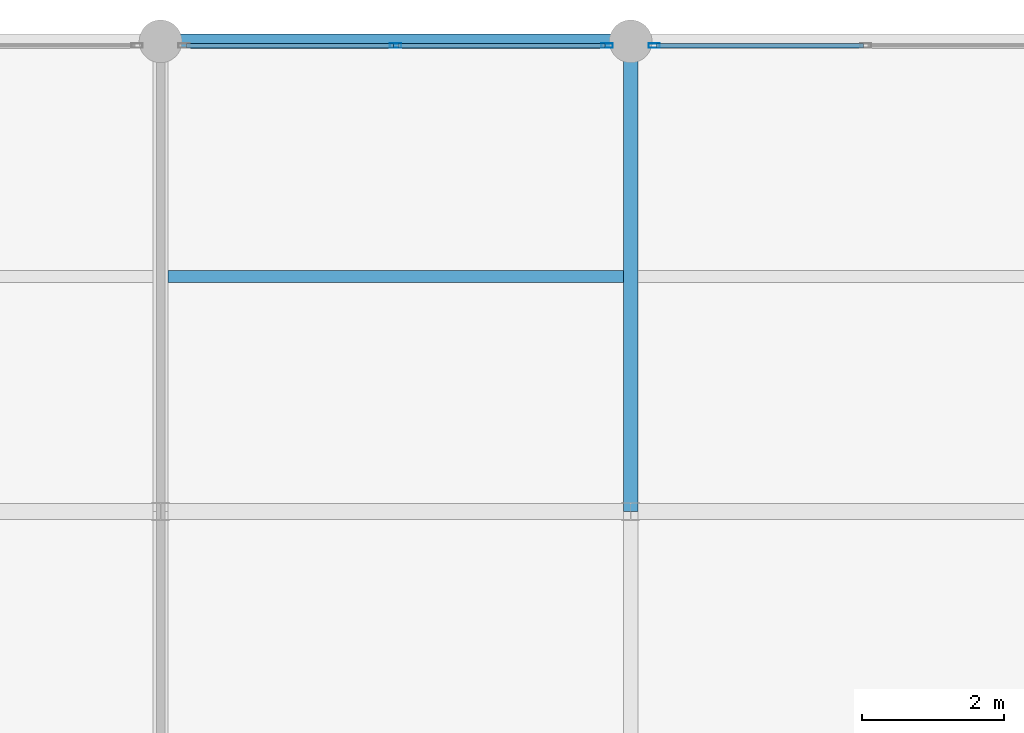
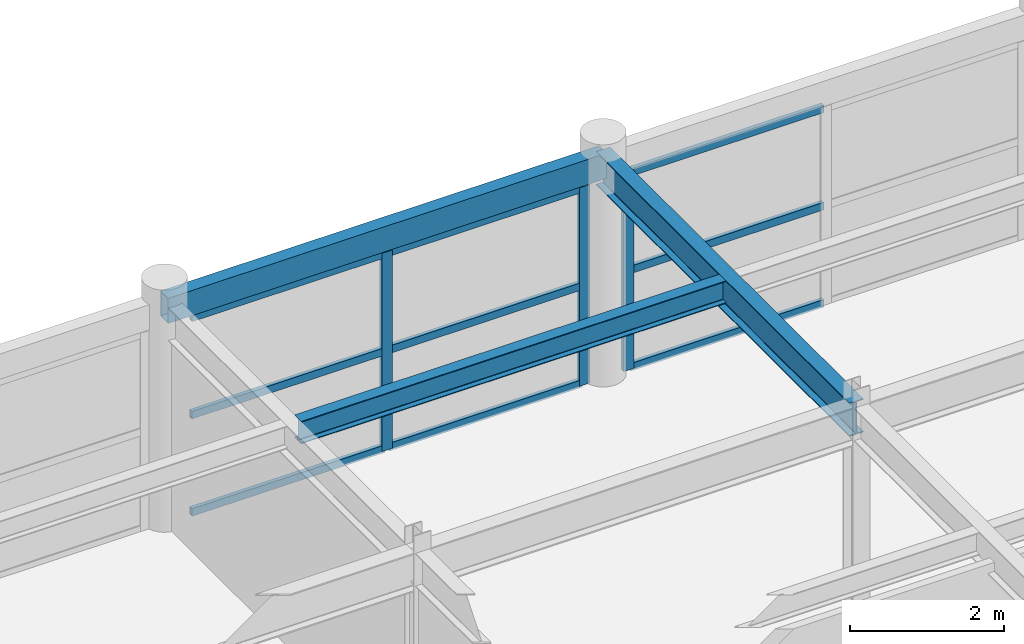
# One storey, part 5 of 17: 12 members, 3 beams, 2 elements without a shape of their own.
"""IFC4 building model written with IfcOpenShell, lengths in metres."""

from ifc_helpers import new_model, si_unit, direction, frame, origin, origin_2d, place, context, subcontext, project, spatial, hollow_rectangle, i_section, extrude, material, material_profile, profile_set, type_object, element, aggregate, save


model = new_model("IFC4")

# Units and contexts
model_context = context("Model", 3, precision=1e-05, world=origin(), true_north=direction((0.0, 1.0)))
body_context = subcontext(model_context, "Body", "Model", "MODEL_VIEW")
ifc_project = project(units=[si_unit("LENGTHUNIT", "METRE"), si_unit("AREAUNIT", "SQUARE_METRE"), si_unit("VOLUMEUNIT", "CUBIC_METRE"), si_unit("PLANEANGLEUNIT", "RADIAN"), si_unit("MASSUNIT", "GRAM", prefix="KILO")], contexts=[model_context])

# Site, building, storey
site_placement = place(None, origin())
site = spatial("IfcSite", under=ifc_project, at=site_placement, CompositionType="ELEMENT")
building_placement = place(site_placement, origin())
building = spatial("IfcBuilding", under=site, at=building_placement, Name="Karori Crest Natural Sciences Institute", CompositionType="ELEMENT")
storey_placement = place(building_placement, frame((0.0, 0.0, 38.14990234375)))
storey = spatial("IfcBuildingStorey", under=building, at=storey_placement, Name="L09", CompositionType="ELEMENT", Elevation=38.14990234375)

# Beams
ifc_material_1 = material(Name="Structural steel AS/NZS 3679.1 Grade 350", Category="steel")
ifc_material_profile_1 = material_profile(ifc_material_1, i_section(OverallWidth=0.208984375, OverallDepth=0.532958984375, WebThickness=0.01025390625, FlangeThickness=0.015625, FilletRadius=0.013916015625, at=origin_2d()), Name="530UB92.4")
ifc_profile_set_1 = profile_set([ifc_material_profile_1], Name="Structural steel AS/NZS 3679.1 Grade 350")
beam_type_1 = type_object("IfcBeamType", Name="BT-05", PredefinedType="BEAM", material=ifc_profile_set_1)
beam_1_placement = place(storey_placement, frame((116.800048828125, 14.0, 3.3037109375), z_axis=(0.0, 1.0, 0.0), x_axis=(-1.0, 0.0, 0.0)))
element("IfcBeam", 1, at=beam_1_placement, inside=storey, type_object=beam_type_1, Name="Beam B-2796", PredefinedType="BEAM", context=body_context, shape_type="SweptSolid", body=[
    extrude(i_section(OverallWidth=0.208984375, OverallDepth=0.532958984375, WebThickness=0.01025390625, FlangeThickness=0.015625, FilletRadius=0.013916015625, at=origin_2d()), origin(), (0.0, 0.0, 1.0), 6.60009765625),
])
ifc_material_profile_2 = material_profile(ifc_material_1, i_section(OverallWidth=0.172119140625, OverallDepth=0.35888671875, WebThickness=0.008056640625, FlangeThickness=0.012939453125, FilletRadius=0.010986328125, at=origin_2d()), Name="360UB56.7")
ifc_profile_set_2 = profile_set([ifc_material_profile_2], Name="Structural steel AS/NZS 3679.1 Grade 350")
beam_type_2 = type_object("IfcBeamType", Name="BT-08", PredefinedType="BEAM", material=ifc_profile_set_2)
beam_2_placement = place(storey_placement, frame((110.304443359375, 17.300048828125, 3.390625), z_axis=(1.0, 0.0, 0.0), x_axis=(0.0, 1.0, 0.0)))
element("IfcBeam", 2, at=beam_2_placement, inside=storey, type_object=beam_type_2, Name="Beam B-2815", PredefinedType="BEAM", context=body_context, shape_type="SweptSolid", body=[
    extrude(i_section(OverallWidth=0.172119140625, OverallDepth=0.35888671875, WebThickness=0.008056640625, FlangeThickness=0.012939453125, FilletRadius=0.010986328125, at=origin_2d()), origin(), (0.0, 0.0, 1.0), 6.39111328125),
])
ifc_material_2 = material(Name="Hollow structural steel AS/NZS 1163 Grade C350", Category="steel")
ifc_material_profile_3 = material_profile(ifc_material_2, hollow_rectangle(XDim=0.199951171875, YDim=0.39990234375, WallThickness=0.012451171875, at=origin_2d()), Name="RHS400x200x12.5")
ifc_profile_set_3 = profile_set([ifc_material_profile_3], Name="Hollow structural steel AS/NZS 1163 Grade C350")
beam_type_3 = type_object("IfcBeamType", Name="BT-14", PredefinedType="SPANDREL", material=ifc_profile_set_3)
beam_3_placement = place(storey_placement, frame((110.199951171875, 20.60009765625, 3.3701171875), z_axis=(1.0, 0.0, 0.0), x_axis=(0.0, 1.0, 0.0)))
element("IfcBeam", 3, at=beam_3_placement, inside=storey, type_object=beam_type_3, Name="Beam B-2782", PredefinedType="SPANDREL", context=body_context, shape_type="SweptSolid", body=[
    extrude(hollow_rectangle(XDim=0.199951171875, YDim=0.39990234375, WallThickness=0.012451171875, at=origin_2d()), origin(), (0.0, 0.0, 1.0), 6.60009765625),
])

# Curtain wall, members
ifc_material_3 = material(Name="Anodised architectural aluminium 6063-T6", Category="aluminium")
curtain_wall_type = type_object("IfcCurtainWallType", Name="CWT-20", PredefinedType="NOTDEFINED", material=ifc_material_3)
curtain_wall_1_placement = place(storey_placement, origin())
curtain_wall_1 = element("IfcCurtainWall", 4, at=curtain_wall_1_placement, inside=storey, type_object=curtain_wall_type, Name="Curtain wall CW-0373", PredefinedType="NOTDEFINED")
ifc_material_profile_4 = material_profile(ifc_material_3, hollow_rectangle(XDim=0.06494140625, YDim=0.159912109375, WallThickness=0.00390625, at=origin_2d()), Name="CWM160x65x4")
ifc_profile_set_4 = profile_set([ifc_material_profile_4], Name="Anodised architectural aluminium 6063-T6")
member_type_1 = type_object("IfcMemberType", Name="CWM-01", PredefinedType="MULLION", material=ifc_profile_set_4)
member_1_placement = place(storey_placement, frame((113.5, 20.5400390625, 0.0), z_axis=(0.0, 0.0, 1.0), x_axis=(0.0, 1.0, 0.0)))
member_1 = element("IfcMember", 5, at=member_1_placement, type_object=member_type_1, Name="CW-0373 mullion 2", PredefinedType="MULLION", context=body_context, shape_type="SweptSolid", body=[
    extrude(hollow_rectangle(XDim=0.06494140625, YDim=0.159912109375, WallThickness=0.00390625, at=origin_2d()), origin(), (0.0, 0.0, 1.0), 3.155029296875),
])
member_2_placement = place(storey_placement, frame((116.469482421875, 20.5400390625, 0.0), z_axis=(0.0, 0.0, 1.0), x_axis=(0.0, 1.0, 0.0)))
member_2 = element("IfcMember", 6, at=member_2_placement, type_object=member_type_1, Name="CW-0373 mullion 3", PredefinedType="MULLION", context=body_context, shape_type="SweptSolid", body=[
    extrude(hollow_rectangle(XDim=0.06494140625, YDim=0.159912109375, WallThickness=0.00390625, at=origin_2d()), origin(), (0.0, 0.0, 1.0), 3.155029296875),
])

# Curtain wall, member
curtain_wall_2_placement = place(storey_placement, origin())
curtain_wall_2 = element("IfcCurtainWall", 7, at=curtain_wall_2_placement, inside=storey, type_object=curtain_wall_type, Name="Curtain wall CW-0374", PredefinedType="NOTDEFINED")
member_3_placement = place(storey_placement, frame((117.130615234375, 20.5400390625, 0.0), z_axis=(0.0, 0.0, 1.0), x_axis=(0.0, 1.0, 0.0)))
member_3 = element("IfcMember", 8, at=member_3_placement, type_object=member_type_1, Name="CW-0374 mullion 1", PredefinedType="MULLION", context=body_context, shape_type="SweptSolid", body=[
    extrude(hollow_rectangle(XDim=0.06494140625, YDim=0.159912109375, WallThickness=0.00390625, at=origin_2d()), origin(), (0.0, 0.0, 1.0), 3.155029296875),
])

# Member
ifc_material_profile_5 = material_profile(ifc_material_3, hollow_rectangle(XDim=0.06005859375, YDim=0.1201171875, WallThickness=0.00390625, at=origin_2d()), Name="CWT120x60x4")
ifc_profile_set_5 = profile_set([ifc_material_profile_5], Name="Anodised architectural aluminium 6063-T6")
member_type_2 = type_object("IfcMemberType", Name="CWT-TR1", PredefinedType="USERDEFINED", material=ifc_profile_set_5)
member_4_placement = place(storey_placement, frame((110.56298828125, 20.5400390625, 0.030029296875), z_axis=(1.0, 0.0, 0.0), x_axis=(0.0, 1.0, 0.0)))
member_4 = element("IfcMember", 9, at=member_4_placement, type_object=member_type_2, Name="CW-0373 transom 1.1", ObjectType="TRANSOM", PredefinedType="USERDEFINED", context=body_context, shape_type="SweptSolid", body=[
    extrude(hollow_rectangle(XDim=0.06005859375, YDim=0.1201171875, WallThickness=0.00390625, at=origin_2d()), origin(), (0.0, 0.0, 1.0), 2.904541015625),
])

member_5_placement = place(storey_placement, frame((110.56298828125, 20.5400390625, 1.57763671875), z_axis=(1.0, 0.0, 0.0), x_axis=(0.0, 1.0, 0.0)))
member_5 = element("IfcMember", 10, at=member_5_placement, type_object=member_type_2, Name="CW-0373 transom 1.2", ObjectType="TRANSOM", PredefinedType="USERDEFINED", context=body_context, shape_type="SweptSolid", body=[
    extrude(hollow_rectangle(XDim=0.06005859375, YDim=0.1201171875, WallThickness=0.00390625, at=origin_2d()), origin(), (0.0, 0.0, 1.0), 2.904541015625),
])

member_6_placement = place(storey_placement, frame((110.56298828125, 20.5400390625, 3.125), z_axis=(1.0, 0.0, 0.0), x_axis=(0.0, 1.0, 0.0)))
member_6 = element("IfcMember", 11, at=member_6_placement, type_object=member_type_2, Name="CW-0373 transom 1.3", ObjectType="TRANSOM", PredefinedType="USERDEFINED", context=body_context, shape_type="SweptSolid", body=[
    extrude(hollow_rectangle(XDim=0.06005859375, YDim=0.1201171875, WallThickness=0.00390625, at=origin_2d()), origin(), (0.0, 0.0, 1.0), 2.904541015625),
])

member_7_placement = place(storey_placement, frame((113.532470703125, 20.5400390625, 0.030029296875), z_axis=(1.0, 0.0, 0.0), x_axis=(0.0, 1.0, 0.0)))
member_7 = element("IfcMember", 12, at=member_7_placement, type_object=member_type_2, Name="CW-0373 transom 2.1", ObjectType="TRANSOM", PredefinedType="USERDEFINED", context=body_context, shape_type="SweptSolid", body=[
    extrude(hollow_rectangle(XDim=0.06005859375, YDim=0.1201171875, WallThickness=0.00390625, at=origin_2d()), origin(), (0.0, 0.0, 1.0), 2.904541015625),
])

member_8_placement = place(storey_placement, frame((113.532470703125, 20.5400390625, 1.57763671875), z_axis=(1.0, 0.0, 0.0), x_axis=(0.0, 1.0, 0.0)))
member_8 = element("IfcMember", 13, at=member_8_placement, type_object=member_type_2, Name="CW-0373 transom 2.2", ObjectType="TRANSOM", PredefinedType="USERDEFINED", context=body_context, shape_type="SweptSolid", body=[
    extrude(hollow_rectangle(XDim=0.06005859375, YDim=0.1201171875, WallThickness=0.00390625, at=origin_2d()), origin(), (0.0, 0.0, 1.0), 2.904541015625),
])

member_9_placement = place(storey_placement, frame((113.532470703125, 20.5400390625, 3.125), z_axis=(1.0, 0.0, 0.0), x_axis=(0.0, 1.0, 0.0)))
member_9 = element("IfcMember", 14, at=member_9_placement, type_object=member_type_2, Name="CW-0373 transom 2.3", ObjectType="TRANSOM", PredefinedType="USERDEFINED", context=body_context, shape_type="SweptSolid", body=[
    extrude(hollow_rectangle(XDim=0.06005859375, YDim=0.1201171875, WallThickness=0.00390625, at=origin_2d()), origin(), (0.0, 0.0, 1.0), 2.904541015625),
])

aggregate(curtain_wall_1, [member_1, member_2, member_4, member_5, member_6, member_7, member_8, member_9])

member_10_placement = place(storey_placement, frame((117.1630859375, 20.5400390625, 0.030029296875), z_axis=(1.0, 0.0, 0.0), x_axis=(0.0, 1.0, 0.0)))
member_10 = element("IfcMember", 15, at=member_10_placement, type_object=member_type_2, Name="CW-0374 transom 1.1", ObjectType="TRANSOM", PredefinedType="USERDEFINED", context=body_context, shape_type="SweptSolid", body=[
    extrude(hollow_rectangle(XDim=0.06005859375, YDim=0.1201171875, WallThickness=0.00390625, at=origin_2d()), origin(), (0.0, 0.0, 1.0), 2.904296875),
])

member_11_placement = place(storey_placement, frame((117.1630859375, 20.5400390625, 1.57763671875), z_axis=(1.0, 0.0, 0.0), x_axis=(0.0, 1.0, 0.0)))
member_11 = element("IfcMember", 16, at=member_11_placement, type_object=member_type_2, Name="CW-0374 transom 1.2", ObjectType="TRANSOM", PredefinedType="USERDEFINED", context=body_context, shape_type="SweptSolid", body=[
    extrude(hollow_rectangle(XDim=0.06005859375, YDim=0.1201171875, WallThickness=0.00390625, at=origin_2d()), origin(), (0.0, 0.0, 1.0), 2.904296875),
])

member_12_placement = place(storey_placement, frame((117.1630859375, 20.5400390625, 3.125), z_axis=(1.0, 0.0, 0.0), x_axis=(0.0, 1.0, 0.0)))
member_12 = element("IfcMember", 17, at=member_12_placement, type_object=member_type_2, Name="CW-0374 transom 1.3", ObjectType="TRANSOM", PredefinedType="USERDEFINED", context=body_context, shape_type="SweptSolid", body=[
    extrude(hollow_rectangle(XDim=0.06005859375, YDim=0.1201171875, WallThickness=0.00390625, at=origin_2d()), origin(), (0.0, 0.0, 1.0), 2.904296875),
])

aggregate(curtain_wall_2, [member_3, member_10, member_11, member_12])

save(model, "model.ifc")
